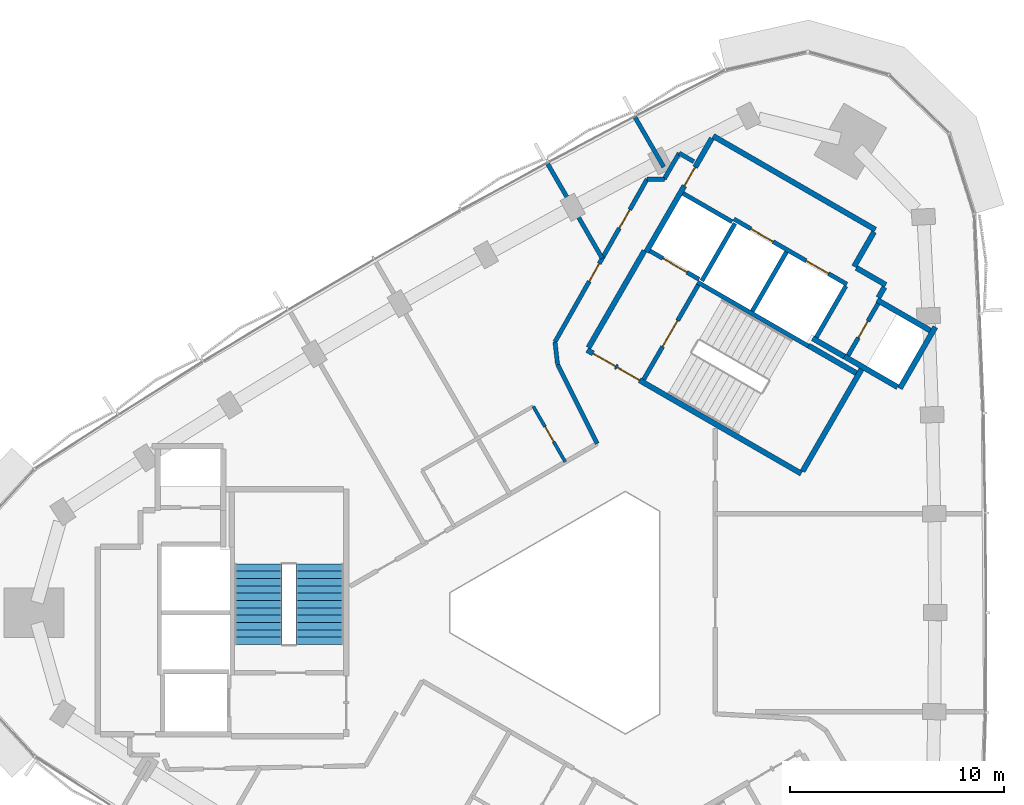
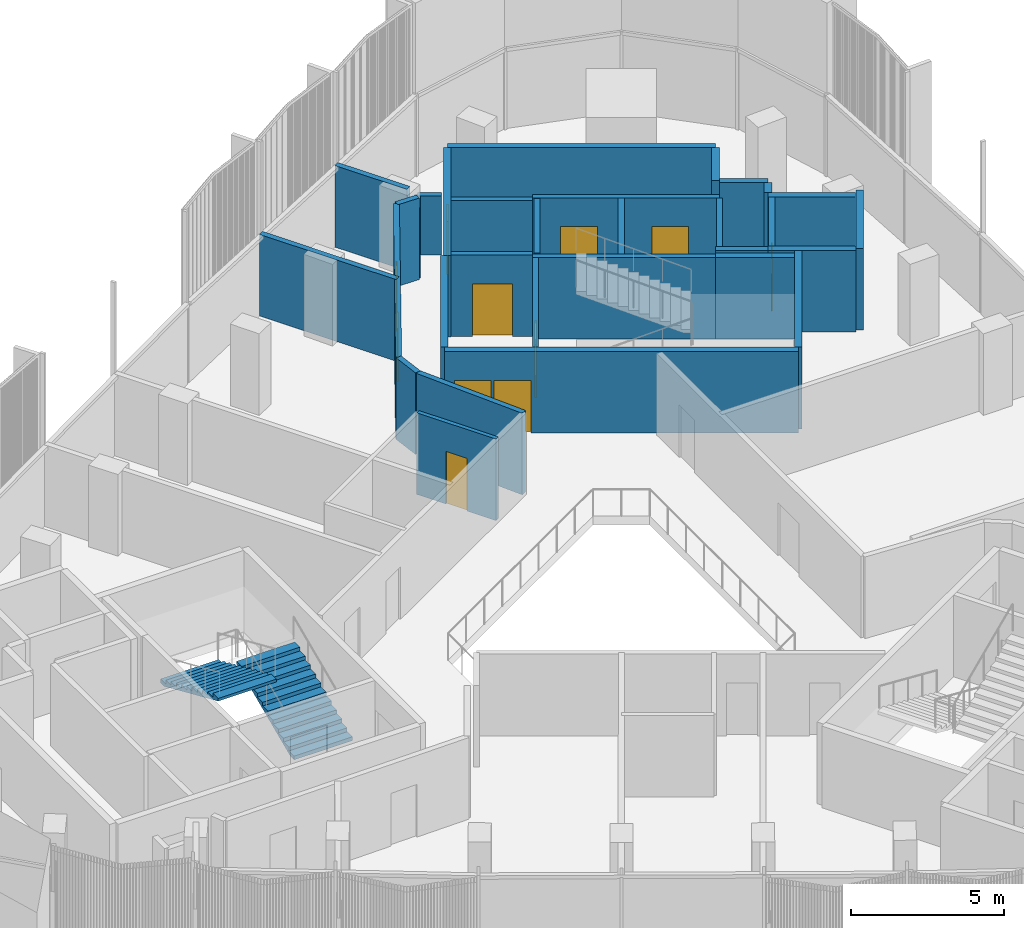
# One storey, part 10 of 16: 31 walls, 11 doors, 2 stair flights, 11 openings, 1 element without a shape of its own.
"""IFC4 building model written with IfcOpenShell, lengths in metres."""

from ifc_helpers import new_model, si_unit, direction, frame, frame_2d, origin, place, context, subcontext, project, spatial, polyline, rectangle, outline, extrude, material, layer, layer_set, type_object, element, fill, aggregate, save


model = new_model("IFC4")

# Units and contexts
model_context = context("Model", 3, precision=1e-05, world=origin(), true_north=direction((0.0, 1.0)))
body_context = subcontext(model_context, "Body", "Model", "MODEL_VIEW")
ifc_project = project(units=[si_unit("LENGTHUNIT", "METRE"), si_unit("AREAUNIT", "SQUARE_METRE"), si_unit("VOLUMEUNIT", "CUBIC_METRE"), si_unit("PLANEANGLEUNIT", "RADIAN"), si_unit("MASSUNIT", "GRAM", prefix="KILO")], contexts=[model_context])

# Site, building, storey
site_placement = place(None, origin())
site = spatial("IfcSite", under=ifc_project, at=site_placement, CompositionType="ELEMENT")
building_placement = place(site_placement, origin())
building = spatial("IfcBuilding", under=site, at=building_placement, Name="Tamra Quay Hotel Tower", CompositionType="ELEMENT")
storey_placement = place(building_placement, frame((0.0, 0.0, 243.0)))
storey = spatial("IfcBuildingStorey", under=building, at=storey_placement, Name="L61", CompositionType="ELEMENT", Elevation=243.0)

# Wall, openings, doors
ifc_material_1 = material(Name="Concrete M70", Category="concrete")
ifc_layer_1 = layer(ifc_material_1, 0.199951171875)
ifc_layer_set_1 = layer_set([ifc_layer_1], Name="Concrete M70 core wall 200")
wall_type_1 = type_object("IfcWallType", Name="Concrete M70 core wall 200", PredefinedType="SHEAR", material=ifc_layer_set_1)
wall_1_placement = place(storey_placement, frame((12.552490234375, 15.341552734375, 0.0), z_axis=(0.0, 0.0, 1.0), x_axis=(-0.866030299012, 0.499991521122, 0.0)))
wall_1 = element("IfcWall", 1, at=wall_1_placement, inside=storey, type_object=wall_type_1, Name="CW2", PredefinedType="SHEAR", context=body_context, shape_type="SweptSolid", body=[
    extrude(rectangle(XDim=6.10009765625, YDim=0.199951171875, at=frame_2d((3.050048828125, 0.0))), origin(), (0.0, 0.0, 1.0), 3.25),
])
opening_1_placement = place(wall_1_placement, frame((1.0, 0.0, 0.0)))
opening_1 = element("IfcOpeningElement", 2, at=opening_1_placement, cuts=wall_1, Name="Opening LD", PredefinedType="OPENING", context=body_context, shape_type="SweptSolid", body=[
    extrude(rectangle(XDim=1.199951171875, YDim=2.10009765625, at=frame_2d((0.60009765625, 1.050048828125))), frame((0.0, 0.10986328125, 0.0), z_axis=(0.0, -1.0, 0.0), x_axis=(1.0, 0.0, 0.0)), (0.0, 0.0, 1.0), 0.219970703125),
])
opening_2_placement = place(wall_1_placement, frame((3.982177734375, 0.0, 0.0)))
opening_2 = element("IfcOpeningElement", 3, at=opening_2_placement, cuts=wall_1, Name="Opening LD", PredefinedType="OPENING", context=body_context, shape_type="SweptSolid", body=[
    extrude(rectangle(XDim=1.199951171875, YDim=2.10009765625, at=frame_2d((0.60009765625, 1.050048828125))), frame((0.0, 0.10986328125, 0.0), z_axis=(0.0, -1.0, 0.0), x_axis=(1.0, 0.0, 0.0)), (0.0, 0.0, 1.0), 0.219970703125),
])
ifc_material_2 = material(Name="Landing door LD 1200 double door sliding")
door_type_1 = type_object("IfcDoorType", Name="Landing door LD 1200 double door sliding", OperationType="DOUBLE_DOOR_SLIDING", PredefinedType="DOOR", material=ifc_material_2)
door_1_placement = place(opening_1_placement, origin())
door_1 = element("IfcDoor", 4, at=door_1_placement, inside=storey, type_object=door_type_1, Name="LD", OperationType="DOUBLE_DOOR_SLIDING", OverallHeight=2.10009765625, OverallWidth=1.199951171875, PredefinedType="DOOR", context=body_context, shape_type="SweptSolid", body=[
    extrude(rectangle(XDim=1.199951171875, YDim=2.10009765625, at=frame_2d((0.60009765625, 1.050048828125))), frame((0.0, 0.02490234375, 0.0), z_axis=(0.0, -1.0, 0.0), x_axis=(1.0, 0.0, 0.0)), (0.0, 0.0, 1.0), 0.050048828125),
])
fill(opening_1, door_1)
door_2_placement = place(opening_2_placement, origin())
door_2 = element("IfcDoor", 5, at=door_2_placement, inside=storey, type_object=door_type_1, Name="LD", OperationType="DOUBLE_DOOR_SLIDING", OverallHeight=2.10009765625, OverallWidth=1.199951171875, PredefinedType="DOOR", context=body_context, shape_type="SweptSolid", body=[
    extrude(rectangle(XDim=1.199951171875, YDim=2.10009765625, at=frame_2d((0.60009765625, 1.050048828125))), frame((0.0, 0.02490234375, 0.0), z_axis=(0.0, -1.0, 0.0), x_axis=(1.0, 0.0, 0.0)), (0.0, 0.0, 1.0), 0.050048828125),
])
fill(opening_2, door_2)

# Wall
wall_2_placement = place(storey_placement, frame((10.7431640625, 12.4599609375, 0.0), z_axis=(0.0, 0.0, 1.0), x_axis=(-0.866018848283, 0.500011354289, 0.0)))
element("IfcWall", 6, at=wall_2_placement, inside=storey, type_object=wall_type_1, Name="CW2", PredefinedType="SHEAR", context=body_context, shape_type="SweptSolid", body=[
    extrude(rectangle(XDim=5.973876953125, YDim=0.199951171875, at=frame_2d((2.98681640625, 0.0))), origin(), (0.0, 0.0, 1.0), 3.25),
])

# Wall, opening, door
wall_3_placement = place(storey_placement, frame((3.056640625, 10.89453125, 0.0), z_axis=(0.0, 0.0, 1.0), x_axis=(0.500027839223, 0.866009330205, 0.0)))
wall_3 = element("IfcWall", 7, at=wall_3_placement, inside=storey, type_object=wall_type_1, Name="CW2", PredefinedType="SHEAR", context=body_context, shape_type="SweptSolid", body=[
    extrude(rectangle(XDim=5.097900390625, YDim=0.199951171875, at=frame_2d((2.548828125, 0.0))), origin(), (0.0, 0.0, 1.0), 3.25),
])
opening_3_placement = place(wall_3_placement, frame((1.77392578125, 0.0, 0.0)))
opening_3 = element("IfcOpeningElement", 8, at=opening_3_placement, cuts=wall_3, Name="Opening FD2", PredefinedType="OPENING", context=body_context, shape_type="SweptSolid", body=[
    extrude(rectangle(XDim=1.39990234375, YDim=2.10009765625, at=frame_2d((0.699951171875, 1.050048828125))), frame((0.0, 0.10986328125, 0.0), z_axis=(0.0, -1.0, 0.0), x_axis=(1.0, 0.0, 0.0)), (0.0, 0.0, 1.0), 0.219970703125),
])
ifc_material_3 = material(Name="Core door FD2 1400x2100 RH")
door_type_2 = type_object("IfcDoorType", Name="Core door FD2 1400x2100 RH", OperationType="NOTDEFINED", PredefinedType="DOOR", material=ifc_material_3)
door_3_placement = place(opening_3_placement, origin())
door_3 = element("IfcDoor", 9, at=door_3_placement, inside=storey, type_object=door_type_2, Name="FD2", OperationType="SINGLE_SWING_RIGHT", OverallHeight=2.10009765625, OverallWidth=1.39990234375, PredefinedType="DOOR", context=body_context, shape_type="SweptSolid", body=[
    extrude(rectangle(XDim=1.39990234375, YDim=2.10009765625, at=frame_2d((0.699951171875, 1.050048828125))), frame((0.0, 0.02490234375, 0.0), z_axis=(0.0, -1.0, 0.0), x_axis=(1.0, 0.0, 0.0)), (0.0, 0.0, 1.0), 0.050048828125),
])
fill(opening_3, door_3)

# Wall
wall_4_placement = place(storey_placement, frame((8.131591796875, 14.08447265625, 0.0), z_axis=(0.0, 0.0, 1.0), x_axis=(0.500030834389, 0.86600760081, 0.0)))
element("IfcWall", 10, at=wall_4_placement, inside=storey, type_object=wall_type_1, Name="CW2", PredefinedType="SHEAR", context=body_context, shape_type="SweptSolid", body=[
    extrude(rectangle(XDim=3.197998046875, YDim=0.199951171875, at=frame_2d((1.59912109375, 0.0))), origin(), (0.0, 0.0, 1.0), 3.25),
])

# Wall, opening, door
wall_5_placement = place(storey_placement, frame((14.0078125, 14.442138671875, 0.0), z_axis=(0.0, 0.0, 1.0), x_axis=(-0.499986818241, -0.866033014143, 0.0)))
wall_5 = element("IfcWall", 11, at=wall_5_placement, inside=storey, type_object=wall_type_1, Name="CW2", PredefinedType="SHEAR", context=body_context, shape_type="SweptSolid", body=[
    extrude(rectangle(XDim=2.7978515625, YDim=0.199951171875, at=frame_2d((1.39892578125, 0.0))), origin(), (0.0, 0.0, 1.0), 3.25),
])
opening_4_placement = place(wall_5_placement, frame((0.948974609375, 0.0, 0.0)))
opening_4 = element("IfcOpeningElement", 12, at=opening_4_placement, cuts=wall_5, Name="Opening D1", PredefinedType="OPENING", context=body_context, shape_type="SweptSolid", body=[
    extrude(rectangle(XDim=0.89990234375, YDim=2.10009765625, at=frame_2d((0.449951171875, 1.050048828125))), frame((0.0, 0.10986328125, 0.0), z_axis=(0.0, -1.0, 0.0), x_axis=(1.0, 0.0, 0.0)), (0.0, 0.0, 1.0), 0.219970703125),
])
ifc_material_4 = material(Name="Core door D1 900x2100 LH")
door_type_3 = type_object("IfcDoorType", Name="Core door D1 900x2100 LH", OperationType="NOTDEFINED", PredefinedType="DOOR", material=ifc_material_4)
door_4_placement = place(opening_4_placement, origin())
door_4 = element("IfcDoor", 13, at=door_4_placement, inside=storey, type_object=door_type_3, Name="D1", OperationType="SINGLE_SWING_LEFT", OverallHeight=2.10009765625, OverallWidth=0.89990234375, PredefinedType="DOOR", context=body_context, shape_type="SweptSolid", body=[
    extrude(rectangle(XDim=0.89990234375, YDim=2.10009765625, at=frame_2d((0.449951171875, 1.050048828125))), frame((0.0, 0.02490234375, 0.0), z_axis=(0.0, -1.0, 0.0), x_axis=(1.0, 0.0, 0.0)), (0.0, 0.0, 1.0), 0.050048828125),
])
fill(opening_4, door_4)

# Walls
wall_6_placement = place(storey_placement, frame((12.50244140625, 15.2548828125, 0.0), z_axis=(0.0, 0.0, 1.0), x_axis=(-0.499965018551, -0.866045599391, 0.0)))
element("IfcWall", 14, at=wall_6_placement, inside=storey, type_object=wall_type_1, Name="CW2", PredefinedType="SHEAR", context=body_context, shape_type="SweptSolid", body=[
    extrude(rectangle(XDim=2.759033203125, YDim=0.199951171875, at=frame_2d((1.37939453125, 0.0))), origin(), (0.0, 0.0, 1.0), 3.25),
])
wall_7_placement = place(storey_placement, frame((7.324462890625, 18.1865234375, 0.0), z_axis=(0.0, 0.0, 1.0), x_axis=(-0.499967891604, -0.866043940782, 0.0)))
element("IfcWall", 15, at=wall_7_placement, inside=storey, type_object=wall_type_1, Name="CW2", PredefinedType="SHEAR", context=body_context, shape_type="SweptSolid", body=[
    extrude(rectangle(XDim=3.099853515625, YDim=0.199951171875, at=frame_2d((1.5498046875, 0.0))), origin(), (0.0, 0.0, 1.0), 3.25),
])

# Wall, opening, door
wall_8_placement = place(storey_placement, frame((5.646240234375, 15.575927734375, 0.0), z_axis=(0.0, 0.0, 1.0), x_axis=(-0.866018407898, 0.500012117035, 0.0)))
wall_8 = element("IfcWall", 16, at=wall_8_placement, inside=storey, type_object=wall_type_1, Name="CW2", PredefinedType="SHEAR", context=body_context, shape_type="SweptSolid", body=[
    extrude(rectangle(XDim=2.65087890625, YDim=0.199951171875, at=frame_2d((1.325439453125, 0.0))), origin(), (0.0, 0.0, 1.0), 3.25),
])
opening_5_placement = place(wall_8_placement, frame((0.65185546875, 0.0, 0.0)))
opening_5 = element("IfcOpeningElement", 17, at=opening_5_placement, cuts=wall_8, Name="Opening LD", PredefinedType="OPENING", context=body_context, shape_type="SweptSolid", body=[
    extrude(rectangle(XDim=1.300048828125, YDim=2.10009765625, at=frame_2d((0.64990234375, 1.050048828125))), frame((0.0, 0.10986328125, 0.0), z_axis=(0.0, -1.0, 0.0), x_axis=(1.0, 0.0, 0.0)), (0.0, 0.0, 1.0), 0.219970703125),
])
ifc_material_5 = material(Name="Landing door LD 1300 sliding to right")
door_type_4 = type_object("IfcDoorType", Name="Landing door LD 1300 sliding to right", OperationType="NOTDEFINED", PredefinedType="DOOR", material=ifc_material_5)
door_5_placement = place(opening_5_placement, origin())
door_5 = element("IfcDoor", 18, at=door_5_placement, inside=storey, type_object=door_type_4, Name="LD", OperationType="SLIDING_TO_RIGHT", OverallHeight=2.10009765625, OverallWidth=1.300048828125, PredefinedType="DOOR", context=body_context, shape_type="SweptSolid", body=[
    extrude(rectangle(XDim=1.300048828125, YDim=2.10009765625, at=frame_2d((0.64990234375, 1.050048828125))), frame((0.0, 0.02490234375, 0.0), z_axis=(0.0, -1.0, 0.0), x_axis=(1.0, 0.0, 0.0)), (0.0, 0.0, 1.0), 0.050048828125),
])
fill(opening_5, door_5)

# Wall
wall_9_placement = place(storey_placement, frame((7.1962890625, 18.260498046875, 0.0), z_axis=(0.0, 0.0, 1.0), x_axis=(-0.866018407898, 0.500012117035, 0.0)))
element("IfcWall", 19, at=wall_9_placement, inside=storey, type_object=wall_type_1, Name="CW2", PredefinedType="SHEAR", context=body_context, shape_type="SweptSolid", body=[
    extrude(rectangle(XDim=2.65087890625, YDim=0.199951171875, at=frame_2d((1.325439453125, 0.0))), origin(), (0.0, 0.0, 1.0), 3.25),
])

# Wall, openings, doors
ifc_layer_2 = layer(ifc_material_1, 0.25)
ifc_layer_set_2 = layer_set([ifc_layer_2], Name="Concrete M70 core wall 250")
wall_type_2 = type_object("IfcWallType", Name="Concrete M70 core wall 250", PredefinedType="SHEAR", material=ifc_layer_set_2)
wall_10_placement = place(storey_placement, frame((10.419921875, 6.497802734375, 0.0), z_axis=(0.0, 0.0, 1.0), x_axis=(-0.866021906294, 0.500006057782, 0.0)))
wall_10 = element("IfcWall", 20, at=wall_10_placement, inside=storey, type_object=wall_type_2, Name="CW1", PredefinedType="SHEAR", context=body_context, shape_type="SweptSolid", body=[
    extrude(rectangle(XDim=11.550048828125, YDim=0.25, at=frame_2d((5.77490234375, 0.0))), origin(), (0.0, 0.0, 1.0), 3.25),
])
opening_6_placement = place(wall_10_placement, frame((10.02490234375, 0.0, 0.0)))
opening_6 = element("IfcOpeningElement", 21, at=opening_6_placement, cuts=wall_10, Name="Opening FD1", PredefinedType="OPENING", context=body_context, shape_type="SweptSolid", body=[
    extrude(rectangle(XDim=1.199951171875, YDim=2.10009765625, at=frame_2d((0.60009765625, 1.050048828125))), frame((0.0, 0.135009765625, 0.0), z_axis=(0.0, -1.0, 0.0), x_axis=(1.0, 0.0, 0.0)), (0.0, 0.0, 1.0), 0.27001953125),
])
opening_7_placement = place(wall_10_placement, frame((8.724853515625, 0.0, 0.0)))
opening_7 = element("IfcOpeningElement", 22, at=opening_7_placement, cuts=wall_10, Name="Opening FD1", PredefinedType="OPENING", context=body_context, shape_type="SweptSolid", body=[
    extrude(rectangle(XDim=1.199951171875, YDim=2.10009765625, at=frame_2d((0.60009765625, 1.050048828125))), frame((0.0, 0.135009765625, 0.0), z_axis=(0.0, -1.0, 0.0), x_axis=(1.0, 0.0, 0.0)), (0.0, 0.0, 1.0), 0.27001953125),
])
ifc_material_6 = material(Name="Core door FD1 1200x2100 LH")
door_type_5 = type_object("IfcDoorType", Name="Core door FD1 1200x2100 LH", OperationType="NOTDEFINED", PredefinedType="DOOR", material=ifc_material_6)
door_6_placement = place(opening_6_placement, origin())
door_6 = element("IfcDoor", 23, at=door_6_placement, inside=storey, type_object=door_type_5, Name="FD1", OperationType="SINGLE_SWING_LEFT", OverallHeight=2.10009765625, OverallWidth=1.199951171875, PredefinedType="DOOR", context=body_context, shape_type="SweptSolid", body=[
    extrude(rectangle(XDim=1.199951171875, YDim=2.10009765625, at=frame_2d((0.60009765625, 1.050048828125))), frame((0.0, 0.02490234375, 0.0), z_axis=(0.0, -1.0, 0.0), x_axis=(1.0, 0.0, 0.0)), (0.0, 0.0, 1.0), 0.050048828125),
])
fill(opening_6, door_6)
ifc_material_7 = material(Name="Core door FD1 1200x2100 RH")
door_type_6 = type_object("IfcDoorType", Name="Core door FD1 1200x2100 RH", OperationType="NOTDEFINED", PredefinedType="DOOR", material=ifc_material_7)
door_7_placement = place(opening_7_placement, origin())
door_7 = element("IfcDoor", 24, at=door_7_placement, inside=storey, type_object=door_type_6, Name="FD1", OperationType="SINGLE_SWING_RIGHT", OverallHeight=2.10009765625, OverallWidth=1.199951171875, PredefinedType="DOOR", context=body_context, shape_type="SweptSolid", body=[
    extrude(rectangle(XDim=1.199951171875, YDim=2.10009765625, at=frame_2d((0.60009765625, 1.050048828125))), frame((0.0, 0.02490234375, 0.0), z_axis=(0.0, -1.0, 0.0), x_axis=(1.0, 0.0, 0.0)), (0.0, 0.0, 1.0), 0.050048828125),
])
fill(opening_7, door_7)

# Wall
wall_11_placement = place(storey_placement, frame((6.303955078125, 22.268798828125, 0.0), z_axis=(0.0, 0.0, 1.0), x_axis=(0.866022959057, -0.500004234368, 0.0)))
element("IfcWall", 25, at=wall_11_placement, inside=storey, type_object=wall_type_2, Name="CW1", PredefinedType="SHEAR", context=body_context, shape_type="SweptSolid", body=[
    extrude(rectangle(XDim=8.75, YDim=0.25, at=frame_2d((4.375, 0.0))), origin(), (0.0, 0.0, 1.0), 3.25),
])

# Wall, opening, door
wall_12_placement = place(storey_placement, frame((3.178955078125, 16.856201171875, 0.0), z_axis=(0.0, 0.0, 1.0), x_axis=(0.500001955336, 0.866024274868, 0.0)))
wall_12 = element("IfcWall", 26, at=wall_12_placement, inside=storey, type_object=wall_type_2, Name="CW1", PredefinedType="SHEAR", context=body_context, shape_type="SweptSolid", body=[
    extrude(rectangle(XDim=6.12451171875, YDim=0.25, at=frame_2d((3.062255859375, 0.0))), origin(), (0.0, 0.0, 1.0), 3.25),
])
opening_8_placement = place(wall_12_placement, frame((3.562744140625, 0.0, 0.0)))
opening_8 = element("IfcOpeningElement", 27, at=opening_8_placement, cuts=wall_12, Name="Opening FD3", PredefinedType="OPENING", context=body_context, shape_type="SweptSolid", body=[
    extrude(rectangle(XDim=1.0, YDim=2.10009765625, at=frame_2d((0.5, 1.050048828125))), frame((0.0, 0.135009765625, 0.0), z_axis=(0.0, -1.0, 0.0), x_axis=(1.0, 0.0, 0.0)), (0.0, 0.0, 1.0), 0.27001953125),
])
ifc_material_8 = material(Name="Core door FD3 1000x2100 LH")
door_type_7 = type_object("IfcDoorType", Name="Core door FD3 1000x2100 LH", OperationType="NOTDEFINED", PredefinedType="DOOR", material=ifc_material_8)
door_8_placement = place(opening_8_placement, origin())
door_8 = element("IfcDoor", 28, at=door_8_placement, inside=storey, type_object=door_type_7, Name="FD3", OperationType="SINGLE_SWING_LEFT", OverallHeight=2.10009765625, OverallWidth=1.0, PredefinedType="DOOR", context=body_context, shape_type="SweptSolid", body=[
    extrude(rectangle(XDim=1.0, YDim=2.10009765625, at=frame_2d((0.5, 1.050048828125))), frame((0.0, 0.02490234375, 0.0), z_axis=(0.0, -1.0, 0.0), x_axis=(1.0, 0.0, 0.0)), (0.0, 0.0, 1.0), 0.050048828125),
])
fill(opening_8, door_8)

# Walls
wall_13_placement = place(storey_placement, frame((0.47998046875, 12.38134765625, 0.0), z_axis=(0.0, 0.0, 1.0), x_axis=(0.49999885962, 0.866026062182, 0.0)))
element("IfcWall", 29, at=wall_13_placement, inside=storey, type_object=wall_type_2, Name="CW1", PredefinedType="SHEAR", context=body_context, shape_type="SweptSolid", body=[
    extrude(rectangle(XDim=5.224609375, YDim=0.25, at=frame_2d((2.6123046875, 0.0))), origin(), (0.0, 0.0, 1.0), 3.25),
])
wall_14_placement = place(storey_placement, frame((13.237548828125, 11.3779296875, 0.0), z_axis=(0.0, 0.0, 1.0), x_axis=(-0.500008851346, -0.866020293397, 0.0)))
element("IfcWall", 30, at=wall_14_placement, inside=storey, type_object=wall_type_2, Name="CW1", PredefinedType="SHEAR", context=body_context, shape_type="SweptSolid", body=[
    extrude(rectangle(XDim=5.509765625, YDim=0.25, at=frame_2d((2.7548828125, 0.0))), origin(), (0.0, 0.0, 1.0), 3.25),
])
wall_15_placement = place(storey_placement, frame((16.68359375, 13.3466796875, 0.0), z_axis=(0.0, 0.0, 1.0), x_axis=(-0.499998874531, -0.866026053573, 0.0)))
element("IfcWall", 31, at=wall_15_placement, inside=storey, type_object=wall_type_2, Name="CW1", PredefinedType="SHEAR", context=body_context, shape_type="SweptSolid", body=[
    extrude(rectangle(XDim=3.31298828125, YDim=0.25, at=frame_2d((1.656494140625, 0.0))), origin(), (0.0, 0.0, 1.0), 3.25),
])
wall_16_placement = place(storey_placement, frame((14.91845703125, 10.540283203125, 0.0), z_axis=(0.0, 0.0, 1.0), x_axis=(-0.866063538972, 0.499933942099, 0.0)))
element("IfcWall", 32, at=wall_16_placement, inside=storey, type_object=wall_type_2, Name="CW1", PredefinedType="SHEAR", context=body_context, shape_type="SweptSolid", body=[
    extrude(rectangle(XDim=2.86474609375, YDim=0.25, at=frame_2d((1.432373046875, 0.0))), origin(), (0.0, 0.0, 1.0), 3.25),
])
wall_17_placement = place(storey_placement, frame((13.962646484375, 14.61376953125, 0.0), z_axis=(0.0, 0.0, 1.0), x_axis=(0.866042235819, -0.499970844928, 0.0)))
element("IfcWall", 33, at=wall_17_placement, inside=storey, type_object=wall_type_2, Name="CW1", PredefinedType="SHEAR", context=body_context, shape_type="SweptSolid", body=[
    extrude(rectangle(XDim=2.864501953125, YDim=0.25, at=frame_2d((1.43212890625, 0.0))), origin(), (0.0, 0.0, 1.0), 3.25),
])
wall_18_placement = place(storey_placement, frame((10.756591796875, 12.481201171875, 0.0), z_axis=(0.0, 0.0, 1.0), x_axis=(0.866022940537, -0.500004266446, 0.0)))
element("IfcWall", 34, at=wall_18_placement, inside=storey, type_object=wall_type_2, Name="CW1", PredefinedType="SHEAR", context=body_context, shape_type="SweptSolid", body=[
    extrude(rectangle(XDim=2.57470703125, YDim=0.25, at=frame_2d((1.287353515625, 0.0))), origin(), (0.0, 0.0, 1.0), 3.25),
])
wall_19_placement = place(storey_placement, frame((13.819091796875, 17.78515625, 0.0), z_axis=(0.0, 0.0, 1.0), x_axis=(-0.500039802285, -0.866002422705, 0.0)))
element("IfcWall", 35, at=wall_19_placement, inside=storey, type_object=wall_type_2, Name="CW1", PredefinedType="SHEAR", context=body_context, shape_type="SweptSolid", body=[
    extrude(rectangle(XDim=1.864501953125, YDim=0.25, at=frame_2d((0.93212890625, 0.0))), origin(), (0.0, 0.0, 1.0), 3.25),
])
wall_20_placement = place(storey_placement, frame((12.4326171875, 11.9638671875, 0.0), z_axis=(0.0, 0.0, 1.0), x_axis=(-0.866038183914, 0.499977863513, 0.0)))
element("IfcWall", 36, at=wall_20_placement, inside=storey, type_object=wall_type_2, Name="CW1", PredefinedType="SHEAR", context=body_context, shape_type="SweptSolid", body=[
    extrude(rectangle(XDim=1.7099609375, YDim=0.25, at=frame_2d((0.85498046875, 0.0))), origin(), (0.0, 0.0, 1.0), 3.25),
])
wall_21_placement = place(storey_placement, frame((12.995361328125, 16.107666015625, 0.0), z_axis=(0.0, 0.0, 1.0), x_axis=(0.866044474677, -0.49996696679, 0.0)))
element("IfcWall", 37, at=wall_21_placement, inside=storey, type_object=wall_type_2, Name="CW1", PredefinedType="SHEAR", context=body_context, shape_type="SweptSolid", body=[
    extrude(rectangle(XDim=1.58447265625, YDim=0.25, at=frame_2d((0.792236328125, 0.0))), origin(), (0.0, 0.0, 1.0), 3.25),
])
wall_22_placement = place(storey_placement, frame((14.304931640625, 15.206787109375, 0.0), z_axis=(0.0, 0.0, 1.0), x_axis=(-0.499848422343, -0.866112899501, 0.0)))
element("IfcWall", 38, at=wall_22_placement, inside=storey, type_object=wall_type_2, Name="CW1", PredefinedType="SHEAR", context=body_context, shape_type="SweptSolid", body=[
    extrude(rectangle(XDim=0.559326171875, YDim=0.25, at=frame_2d((0.27978515625, 0.0))), origin(), (0.0, 0.0, 1.0), 3.25),
])

# Wall, openings, doors
ifc_material_9 = material(Name="Partition corridor wall")
ifc_layer_3 = layer(ifc_material_9, 0.199951171875)
ifc_layer_set_3 = layer_set([ifc_layer_3], Name="Partition corridor wall")
wall_type_3 = type_object("IfcWallType", Name="Partition corridor wall", PredefinedType="PARTITIONING", material=ifc_layer_set_3)
wall_23_placement = place(storey_placement, frame((-1.086181640625, 12.650634765625, 0.0), z_axis=(0.0, 0.0, 1.0), x_axis=(0.492590234691, 0.870261374925, 0.0)))
wall_23 = element("IfcWall", 39, at=wall_23_placement, inside=storey, type_object=wall_type_3, Name="W-C", PredefinedType="PARTITIONING", context=body_context, shape_type="SweptSolid", body=[
    extrude(rectangle(XDim=8.73779296875, YDim=0.199951171875, at=frame_2d((4.368896484375, 0.0))), origin(), (0.0, 0.0, 1.0), 3.25),
])
opening_9_placement = place(wall_23_placement, frame((6.105224609375, 0.0, 0.0)))
opening_9 = element("IfcOpeningElement", 40, at=opening_9_placement, cuts=wall_23, Name="Opening L61-D001", PredefinedType="OPENING", context=body_context, shape_type="SweptSolid", body=[
    extrude(rectangle(XDim=1.0, YDim=2.10009765625, at=frame_2d((0.5, 1.050048828125))), frame((0.0, 0.10986328125, 0.0), z_axis=(0.0, -1.0, 0.0), x_axis=(1.0, 0.0, 0.0)), (0.0, 0.0, 1.0), 0.219970703125),
])
opening_10_placement = place(wall_23_placement, frame((3.25, 0.0, 0.0)))
opening_10 = element("IfcOpeningElement", 41, at=opening_10_placement, cuts=wall_23, Name="Opening L61-D002", PredefinedType="OPENING", context=body_context, shape_type="SweptSolid", body=[
    extrude(rectangle(XDim=0.949951171875, YDim=2.10009765625, at=frame_2d((0.47509765625, 1.050048828125))), frame((0.0, 0.10986328125, 0.0), z_axis=(0.0, -1.0, 0.0), x_axis=(1.0, 0.0, 0.0)), (0.0, 0.0, 1.0), 0.219970703125),
])
ifc_material_10 = material(Name="Door guest room 1000x2100")
door_type_8 = type_object("IfcDoorType", Name="Door guest room 1000x2100", OperationType="NOTDEFINED", PredefinedType="DOOR", material=ifc_material_10)
door_9_placement = place(opening_9_placement, origin())
door_9 = element("IfcDoor", 42, at=door_9_placement, inside=storey, type_object=door_type_8, Name="L61-D001", OperationType="SINGLE_SWING_LEFT", OverallHeight=2.10009765625, OverallWidth=1.0, PredefinedType="DOOR", context=body_context, shape_type="SweptSolid", body=[
    extrude(rectangle(XDim=1.0, YDim=2.10009765625, at=frame_2d((0.5, 1.050048828125))), frame((0.0, 0.02490234375, 0.0), z_axis=(0.0, -1.0, 0.0), x_axis=(1.0, 0.0, 0.0)), (0.0, 0.0, 1.0), 0.050048828125),
])
fill(opening_9, door_9)
ifc_material_11 = material(Name="Door guest room 950x2100")
door_type_9 = type_object("IfcDoorType", Name="Door guest room 950x2100", OperationType="NOTDEFINED", PredefinedType="DOOR", material=ifc_material_11)
door_10_placement = place(opening_10_placement, origin())
door_10 = element("IfcDoor", 43, at=door_10_placement, inside=storey, type_object=door_type_9, Name="L61-D002", OperationType="SINGLE_SWING_LEFT", OverallHeight=2.10009765625, OverallWidth=0.949951171875, PredefinedType="DOOR", context=body_context, shape_type="SweptSolid", body=[
    extrude(rectangle(XDim=0.949951171875, YDim=2.10009765625, at=frame_2d((0.47509765625, 1.050048828125))), frame((0.0, 0.02490234375, 0.0), z_axis=(0.0, -1.0, 0.0), x_axis=(1.0, 0.0, 0.0)), (0.0, 0.0, 1.0), 0.050048828125),
])
fill(opening_10, door_10)

# Walls
wall_24_placement = place(storey_placement, frame((-1.0849609375, 12.64990234375, 0.0), z_axis=(0.0, 0.0, 1.0), x_axis=(0.113812454263, -0.993502252264, 0.0)))
element("IfcWall", 44, at=wall_24_placement, inside=storey, type_object=wall_type_3, Name="W-C", PredefinedType="PARTITIONING", context=body_context, shape_type="SweptSolid", body=[
    extrude(rectangle(XDim=1.061767578125, YDim=0.199951171875, at=frame_2d((0.53076171875, 0.0))), origin(), (0.0, 0.0, 1.0), 3.25),
])
wall_25_placement = place(storey_placement, frame((-0.964111328125, 11.594970703125, 0.0), z_axis=(0.0, 0.0, 1.0), x_axis=(0.448584236569, -0.893740556706, 0.0)))
element("IfcWall", 45, at=wall_25_placement, inside=storey, type_object=wall_type_3, Name="W-C", PredefinedType="PARTITIONING", context=body_context, shape_type="SweptSolid", body=[
    extrude(rectangle(XDim=4.130859375, YDim=0.199951171875, at=frame_2d((2.0654296875, 0.0))), origin(), (0.0, 0.0, 1.0), 3.25),
])
wall_26_placement = place(storey_placement, frame((3.218994140625, 20.256103515625, 0.0), z_axis=(0.0, 0.0, 1.0), x_axis=(0.99982280377, -0.018824480363, 0.0)))
element("IfcWall", 46, at=wall_26_placement, inside=storey, type_object=wall_type_3, Name="W-C", PredefinedType="PARTITIONING", context=body_context, shape_type="SweptSolid", body=[
    extrude(rectangle(XDim=0.80419921875, YDim=0.199951171875, at=frame_2d((0.402099609375, 0.0))), origin(), (0.0, 0.0, 1.0), 3.25),
])
wall_27_placement = place(storey_placement, frame((4.01611328125, 20.256103515625, 0.0), z_axis=(0.0, 0.0, 1.0), x_axis=(0.500135180047, 0.865947343479, 0.0)))
element("IfcWall", 47, at=wall_27_placement, inside=storey, type_object=wall_type_3, Name="W-C", PredefinedType="PARTITIONING", context=body_context, shape_type="SweptSolid", body=[
    extrude(rectangle(XDim=1.3994140625, YDim=0.199951171875, at=frame_2d((0.69970703125, 0.0))), origin(), (0.0, 0.0, 1.0), 2.35009765625),
])
wall_28_placement = place(storey_placement, frame((4.716064453125, 21.468017578125, 0.0), z_axis=(0.0, 0.0, 1.0), x_axis=(0.865912682783, -0.500195187698, 0.0)))
element("IfcWall", 48, at=wall_28_placement, inside=storey, type_object=wall_type_3, Name="W-C", PredefinedType="PARTITIONING", context=body_context, shape_type="SweptSolid", body=[
    extrude(rectangle(XDim=0.789794921875, YDim=0.199951171875, at=frame_2d((0.39501953125, 0.0))), origin(), (0.0, 0.0, 1.0), 2.35009765625),
])

# Wall, opening, door
ifc_material_12 = material(Name="Partition en-suite wall")
ifc_layer_4 = layer(ifc_material_12, 0.14990234375)
ifc_layer_set_4 = layer_set([ifc_layer_4], Name="Partition en-suite wall")
wall_type_4 = type_object("IfcWallType", Name="Partition en-suite wall", PredefinedType="PARTITIONING", material=ifc_layer_set_4)
wall_29_placement = place(storey_placement, frame((-2.10009765625, 9.637939453125, 0.0), z_axis=(0.0, 0.0, 1.0), x_axis=(0.499753046638, -0.866167935435, 0.0)))
wall_29 = element("IfcWall", 49, at=wall_29_placement, inside=storey, type_object=wall_type_4, Name="W-E", PredefinedType="PARTITIONING", context=body_context, shape_type="SweptSolid", body=[
    extrude(rectangle(XDim=2.99365234375, YDim=0.14990234375, at=frame_2d((1.496826171875, 0.0))), origin(), (0.0, 0.0, 1.0), 3.25),
])
opening_11_placement = place(wall_29_placement, frame((1.096435546875, 0.0, 0.0)))
opening_11 = element("IfcOpeningElement", 50, at=opening_11_placement, cuts=wall_29, Name="Opening L61-D003", PredefinedType="OPENING", context=body_context, shape_type="SweptSolid", body=[
    extrude(rectangle(XDim=0.800048828125, YDim=2.10009765625, at=frame_2d((0.39990234375, 1.050048828125))), frame((0.0, 0.0849609375, 0.0), z_axis=(0.0, -1.0, 0.0), x_axis=(1.0, 0.0, 0.0)), (0.0, 0.0, 1.0), 0.169921875),
])
ifc_material_13 = material(Name="Door en-suite 800x2100")
door_type_10 = type_object("IfcDoorType", Name="Door en-suite 800x2100", OperationType="NOTDEFINED", PredefinedType="DOOR", material=ifc_material_13)
door_11_placement = place(opening_11_placement, origin())
door_11 = element("IfcDoor", 51, at=door_11_placement, inside=storey, type_object=door_type_10, Name="L61-D003", OperationType="SINGLE_SWING_LEFT", OverallHeight=2.10009765625, OverallWidth=0.800048828125, PredefinedType="DOOR", context=body_context, shape_type="SweptSolid", body=[
    extrude(rectangle(XDim=0.800048828125, YDim=2.10009765625, at=frame_2d((0.39990234375, 1.050048828125))), frame((0.0, 0.02490234375, 0.0), z_axis=(0.0, -1.0, 0.0), x_axis=(1.0, 0.0, 0.0)), (0.0, 0.0, 1.0), 0.050048828125),
])
fill(opening_11, door_11)

# Walls
ifc_material_14 = material(Name="Partition party wall")
ifc_layer_5 = layer(ifc_material_14, 0.199951171875)
ifc_layer_set_5 = layer_set([ifc_layer_5], Name="Partition party wall")
wall_type_5 = type_object("IfcWallType", Name="Partition party wall", PredefinedType="PARTITIONING", material=ifc_layer_set_5)
wall_30_placement = place(storey_placement, frame((-1.44677734375, 21.00537109375, 0.0), z_axis=(0.0, 0.0, 1.0), x_axis=(0.49988826685, -0.866089903339, 0.0)))
element("IfcWall", 52, at=wall_30_placement, inside=storey, type_object=wall_type_5, Name="W-P", PredefinedType="PARTITIONING", context=body_context, shape_type="SweptSolid", body=[
    extrude(rectangle(XDim=5.140869140625, YDim=0.199951171875, at=frame_2d((2.5703125, 0.0))), origin(), (0.0, 0.0, 1.0), 3.25),
])
wall_31_placement = place(storey_placement, frame((2.640380859375, 23.170166015625, 0.0), z_axis=(0.0, 0.0, 1.0), x_axis=(0.49992507759, -0.866068655937, 0.0)))
element("IfcWall", 53, at=wall_31_placement, inside=storey, type_object=wall_type_5, Name="W-P", PredefinedType="PARTITIONING", context=body_context, shape_type="SweptSolid", body=[
    extrude(rectangle(XDim=2.7119140625, YDim=0.199951171875, at=frame_2d((1.35595703125, 0.0))), origin(), (0.0, 0.0, 1.0), 3.25),
])

# Stair, stair flights
ifc_material_15 = material(Name="Exit stair 2200 24 risers 150.0 going 342")
stair_type = type_object("IfcStairType", Name="Exit stair 2200 24 risers 150.0 going 342", PredefinedType="HALF_TURN_STAIR", material=ifc_material_15)
stair_placement = place(storey_placement, origin())
stair = element("IfcStair", 54, at=stair_placement, inside=storey, type_object=stair_type, Name="L61 Exit stair ST3", PredefinedType="HALF_TURN_STAIR")
ifc_material_16 = material(Name="Exit stair flight 2200 12 risers 150.0")
stair_flight_type = type_object("IfcStairFlightType", Name="Exit stair flight 2200 12 risers 150.0", PredefinedType="STRAIGHT", material=ifc_material_16)
stair_flight_1_placement = place(storey_placement, frame((-12.082275390625, -1.47998046875, 0.0), z_axis=(0.0, 0.0, 1.0), x_axis=(0.0, 1.0, 0.0)))
stair_flight_1 = element("IfcStairFlight", 55, at=stair_flight_1_placement, type_object=stair_flight_type, Name="ST3 flight 1", NumberOfRisers=12, NumberOfTreads=11, PredefinedType="STRAIGHT", RiserHeight=0.15, TreadLength=0.342, context=body_context, shape_type="SweptSolid", body=[
    extrude(outline(polyline([(0.0, 0.0), (0.0, 0.14990234375), (0.342041015625, 0.14990234375), (0.342041015625, 0.300048828125), (0.68408203125, 0.300048828125), (0.68408203125, 0.449951171875), (1.02587890625, 0.449951171875), (1.02587890625, 0.60009765625), (1.367919921875, 0.60009765625), (1.367919921875, 0.75), (1.7099609375, 0.75), (1.7099609375, 0.89990234375), (2.052001953125, 0.89990234375), (2.052001953125, 1.050048828125), (2.39404296875, 1.050048828125), (2.39404296875, 1.199951171875), (2.736083984375, 1.199951171875), (2.736083984375, 1.35009765625), (3.077880859375, 1.35009765625), (3.077880859375, 1.5), (3.419921875, 1.5), (3.419921875, 1.64990234375), (3.761962890625, 1.64990234375), (3.761962890625, 1.800048828125), (3.761962890625, 1.540771484375), (0.249267578125, 0.0), (0.0, 0.0)])), frame((0.0, 1.10009765625, 0.0), z_axis=(0.0, -1.0, 0.0), x_axis=(1.0, 0.0, 0.0)), (0.0, 0.0, 1.0), 2.199951171875),
])
stair_flight_2_placement = place(storey_placement, frame((-14.94140625, 2.281982421875, 1.800048828125), z_axis=(0.0, 0.0, 1.0), x_axis=(0.0, -1.0, 0.0)))
stair_flight_2 = element("IfcStairFlight", 56, at=stair_flight_2_placement, type_object=stair_flight_type, Name="ST3 flight 2", NumberOfRisers=12, NumberOfTreads=11, PredefinedType="STRAIGHT", RiserHeight=0.15, TreadLength=0.342, context=body_context, shape_type="SweptSolid", body=[
    extrude(outline(polyline([(0.0, 0.0), (0.0, 0.14990234375), (0.342041015625, 0.14990234375), (0.342041015625, 0.300048828125), (0.68408203125, 0.300048828125), (0.68408203125, 0.449951171875), (1.02587890625, 0.449951171875), (1.02587890625, 0.60009765625), (1.367919921875, 0.60009765625), (1.367919921875, 0.75), (1.7099609375, 0.75), (1.7099609375, 0.89990234375), (2.052001953125, 0.89990234375), (2.052001953125, 1.050048828125), (2.39404296875, 1.050048828125), (2.39404296875, 1.199951171875), (2.736083984375, 1.199951171875), (2.736083984375, 1.35009765625), (3.077880859375, 1.35009765625), (3.077880859375, 1.5), (3.419921875, 1.5), (3.419921875, 1.64990234375), (3.761962890625, 1.64990234375), (3.761962890625, 1.800048828125), (3.761962890625, 1.540771484375), (0.249267578125, 0.0), (0.0, 0.0)])), frame((0.0, 1.10009765625, 0.0), z_axis=(0.0, -1.0, 0.0), x_axis=(1.0, 0.0, 0.0)), (0.0, 0.0, 1.0), 2.199951171875),
])
aggregate(stair, [stair_flight_1, stair_flight_2])

save(model, "model.ifc")
